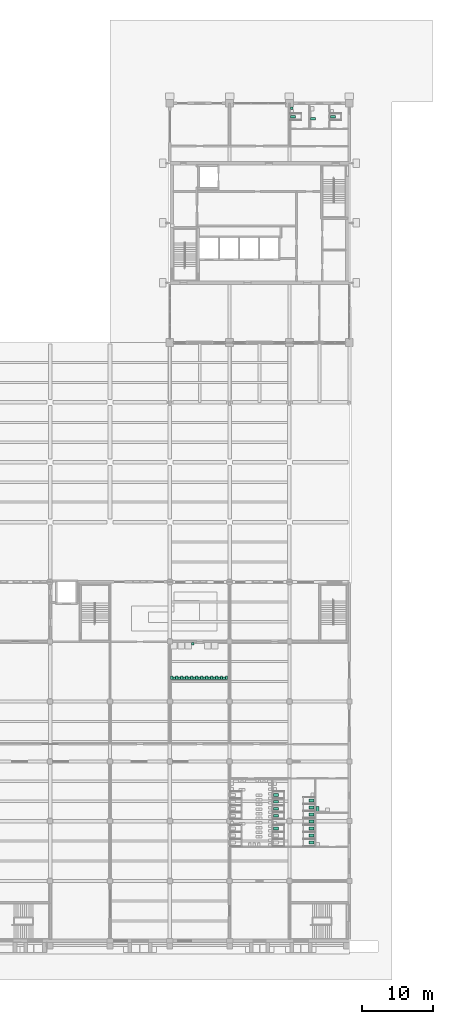
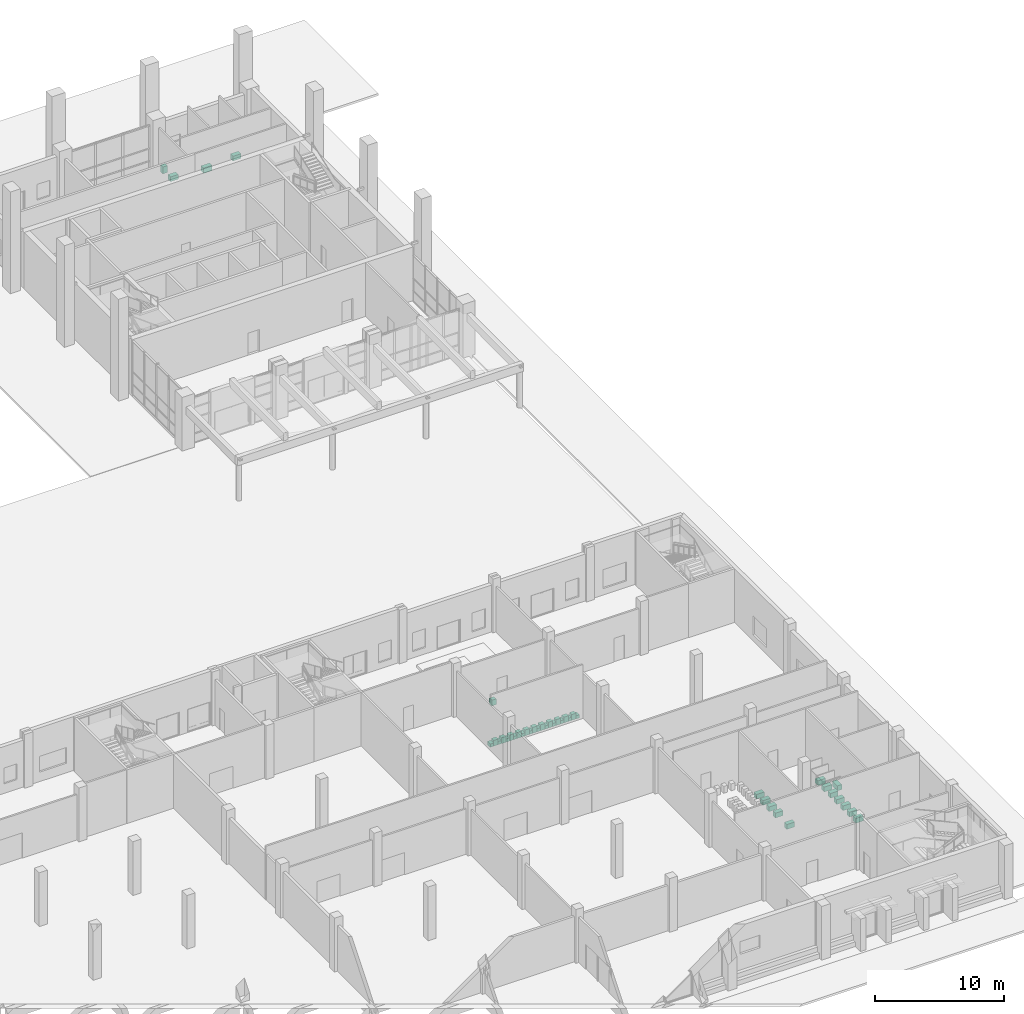
# One storey, part 73 of 74: 41 sanitary terminals.
"""IFC4 building model written with IfcOpenShell, lengths in metres."""

from ifc_helpers import new_model, si_unit, direction, frame, origin, origin_2d, place, context, subcontext, project, spatial, rectangle, extrude, material, type_object, element, save


model = new_model("IFC4")

# Units and contexts
model_context = context("Model", 3, precision=1e-05, world=origin(), true_north=direction((0.0, 1.0)))
body_context = subcontext(model_context, "Body", "Model", "MODEL_VIEW")
ifc_project = project(units=[si_unit("LENGTHUNIT", "METRE"), si_unit("AREAUNIT", "SQUARE_METRE"), si_unit("VOLUMEUNIT", "CUBIC_METRE"), si_unit("PLANEANGLEUNIT", "RADIAN"), si_unit("MASSUNIT", "GRAM", prefix="KILO")], contexts=[model_context])

# Site, building, storey
site_placement = place(None, origin())
site = spatial("IfcSite", under=ifc_project, at=site_placement, CompositionType="ELEMENT")
building_placement = place(site_placement, origin())
building = spatial("IfcBuilding", under=site, at=building_placement, Name="Rulbaag Community and Learning Centre", CompositionType="ELEMENT")
storey_placement = place(building_placement, origin())
storey = spatial("IfcBuildingStorey", under=building, at=storey_placement, Name="L00", CompositionType="ELEMENT", Elevation=0.0)

# Sanitary terminals
ifc_material = material(Name="Vitreous china", Category="ceramic")
sanitary_terminal_type_1 = type_object("IfcSanitaryTerminalType", Name="BS-CH-400", PredefinedType="WASHHANDBASIN", material=ifc_material)
for number, where, z_axis, x_axis, name in (
    (1, (143.429931640625, 36.905029296875, 0.0), (0.0, 0.0, 1.0), (1.0, 0.0, 0.0), "Basin 01"),
    (2, (144.1298828125, 36.905029296875, 0.0), (0.0, 0.0, 1.0), (1.0, 0.0, 0.0), "Basin 02"),
    (3, (144.830078125, 36.905029296875, 0.0), (0.0, 0.0, 1.0), (1.0, 0.0, 0.0), "Basin 03"),
    (4, (145.530029296875, 36.905029296875, 0.0), (0.0, 0.0, 1.0), (1.0, 0.0, 0.0), "Basin 04"),
    (5, (146.22998046875, 36.905029296875, 0.0), (0.0, 0.0, 1.0), (1.0, 0.0, 0.0), "Basin 05"),
    (6, (146.929931640625, 36.905029296875, 0.0), (0.0, 0.0, 1.0), (1.0, 0.0, 0.0), "Basin 06"),
    (7, (147.6298828125, 36.905029296875, 0.0), (0.0, 0.0, 1.0), (1.0, 0.0, 0.0), "Basin 07"),
    (8, (148.330078125, 36.905029296875, 0.0), (0.0, 0.0, 1.0), (1.0, 0.0, 0.0), "Basin 08"),
    (9, (149.030029296875, 36.905029296875, 0.0), (0.0, 0.0, 1.0), (1.0, 0.0, 0.0), "Basin 09"),
    (10, (149.72998046875, 36.905029296875, 0.0), (0.0, 0.0, 1.0), (1.0, 0.0, 0.0), "Basin 10"),
    (11, (150.429931640625, 36.905029296875, 0.0), (0.0, 0.0, 1.0), (1.0, 0.0, 0.0), "Basin 11"),
    (12, (146.030029296875, 41.695068359375, 0.0), (0.0, 0.0, 1.0), (1.0, 0.0, 0.0), "Basin 12"),
):
    element("IfcSanitaryTerminal", number, at=place(storey_placement, frame(where, z_axis=z_axis, x_axis=x_axis)), inside=storey, type_object=sanitary_terminal_type_1, Name=name, PredefinedType="WASHHANDBASIN", context=body_context, shape_type="SweptSolid", body=[
        extrude(rectangle(XDim=0.39990234375, YDim=0.35009765625, at=origin_2d()), origin(), (0.0, 0.0, 1.0), 0.550048828125),
    ])
sanitary_terminal_type_2 = type_object("IfcSanitaryTerminalType", Name="UR-350", PredefinedType="URINAL", material=ifc_material)
sanitary_terminal_1_placement = place(storey_placement, frame((159.929931640625, 116.905029296875, 0.0), z_axis=(0.0, 0.0, 1.0), x_axis=(1.0, 0.0, 0.0)))
element("IfcSanitaryTerminal", 13, at=sanitary_terminal_1_placement, inside=storey, type_object=sanitary_terminal_type_2, Name="Urinal 150", PredefinedType="URINAL", context=body_context, shape_type="SweptSolid", body=[
    extrude(rectangle(XDim=0.39990234375, YDim=0.35009765625, at=origin_2d()), origin(), (0.0, 0.0, 1.0), 0.64990234375),
])
sanitary_terminal_type_3 = type_object("IfcSanitaryTerminalType", Name="WC-400", PredefinedType="TOILETPAN", material=ifc_material)
for number, where, z_axis, x_axis, name in (
    (14, (157.679931640625, 15.780029296875, 0.0), (0.0, 0.0, 1.0), (1.0, 0.0, 0.0), "WC 20"),
    (15, (157.679931640625, 17.56005859375, 0.0), (0.0, 0.0, 1.0), (1.0, 0.0, 0.0), "WC 21"),
    (16, (157.679931640625, 18.5400390625, 0.0), (0.0, 0.0, 1.0), (1.0, 0.0, 0.0), "WC 22"),
    (17, (157.679931640625, 19.52001953125, 0.0), (0.0, 0.0, 1.0), (1.0, 0.0, 0.0), "WC 23"),
    (18, (157.679931640625, 20.5, 0.0), (0.0, 0.0, 1.0), (1.0, 0.0, 0.0), "WC 24"),
    (19, (162.719970703125, 13.820068359375, 0.0), (0.0, 0.0, 1.0), (1.0, 0.0, 0.0), "WC 25"),
    (20, (162.719970703125, 14.800048828125, 0.0), (0.0, 0.0, 1.0), (1.0, 0.0, 0.0), "WC 26"),
    (21, (162.719970703125, 15.780029296875, 0.0), (0.0, 0.0, 1.0), (1.0, 0.0, 0.0), "WC 27"),
    (22, (162.719970703125, 16.760009765625, 0.0), (0.0, 0.0, 1.0), (1.0, 0.0, 0.0), "WC 28"),
    (23, (162.719970703125, 17.739990234375, 0.0), (0.0, 0.0, 1.0), (1.0, 0.0, 0.0), "WC 29"),
    (24, (162.719970703125, 18.719970703125, 0.0), (0.0, 0.0, 1.0), (1.0, 0.0, 0.0), "WC 30"),
    (25, (162.719970703125, 19.699951171875, 0.0), (0.0, 0.0, 1.0), (1.0, 0.0, 0.0), "WC 31"),
    (26, (160.080078125, 115.719970703125, 0.0), (0.0, 0.0, 1.0), (1.0, 0.0, 0.0), "WC 119"),
    (27, (165.679931640625, 115.719970703125, 0.0), (0.0, 0.0, 1.0), (1.0, 0.0, 0.0), "WC 120"),
):
    element("IfcSanitaryTerminal", number, at=place(storey_placement, frame(where, z_axis=z_axis, x_axis=x_axis)), inside=storey, type_object=sanitary_terminal_type_3, Name=name, PredefinedType="TOILETPAN", context=body_context, shape_type="SweptSolid", body=[
        extrude(rectangle(XDim=0.699951171875, YDim=0.39990234375, at=origin_2d()), origin(), (0.0, 0.0, 1.0), 0.449951171875),
    ])
sanitary_terminal_type_4 = type_object("IfcSanitaryTerminalType", Name="WC-AC-480", PredefinedType="TOILETPAN", material=ifc_material)
sanitary_terminal_2_placement = place(storey_placement, frame((163.530029296875, 18.5048828125, 0.0), z_axis=(0.0, 0.0, 1.0), x_axis=(1.0, 0.0, 0.0)))
element("IfcSanitaryTerminal", 28, at=sanitary_terminal_2_placement, inside=storey, type_object=sanitary_terminal_type_4, Name="WC 46", PredefinedType="TOILETPAN", context=body_context, shape_type="SweptSolid", body=[
    extrude(rectangle(XDim=0.39990234375, YDim=0.75, at=origin_2d()), origin(), (0.0, 0.0, 1.0), 0.47998046875),
])
sanitary_terminal_3_placement = place(storey_placement, frame((162.905029296875, 115.429931640625, 0.0), z_axis=(0.0, 0.0, 1.0), x_axis=(1.0, 0.0, 0.0)))
element("IfcSanitaryTerminal", 29, at=sanitary_terminal_3_placement, inside=storey, type_object=sanitary_terminal_type_4, Name="WC 121", PredefinedType="TOILETPAN", context=body_context, shape_type="SweptSolid", body=[
    extrude(rectangle(XDim=0.75, YDim=0.39990234375, at=origin_2d()), origin(), (0.0, 0.0, 1.0), 0.47998046875),
])
sanitary_terminal_type_5 = type_object("IfcSanitaryTerminalType", Name="WC-CH-300", PredefinedType="TOILETPAN", material=ifc_material)
for number, where, z_axis, x_axis, name in (
    (30, (143.080078125, 36.955078125, 0.0), (0.0, 0.0, 1.0), (1.0, 0.0, 0.0), "WC 01"),
    (31, (143.780029296875, 36.955078125, 0.0), (0.0, 0.0, 1.0), (1.0, 0.0, 0.0), "WC 02"),
    (32, (144.47998046875, 36.955078125, 0.0), (0.0, 0.0, 1.0), (1.0, 0.0, 0.0), "WC 03"),
    (33, (145.179931640625, 36.955078125, 0.0), (0.0, 0.0, 1.0), (1.0, 0.0, 0.0), "WC 04"),
    (34, (145.8798828125, 36.955078125, 0.0), (0.0, 0.0, 1.0), (1.0, 0.0, 0.0), "WC 05"),
    (35, (146.580078125, 36.955078125, 0.0), (0.0, 0.0, 1.0), (1.0, 0.0, 0.0), "WC 06"),
    (36, (147.280029296875, 36.955078125, 0.0), (0.0, 0.0, 1.0), (1.0, 0.0, 0.0), "WC 07"),
    (37, (147.97998046875, 36.955078125, 0.0), (0.0, 0.0, 1.0), (1.0, 0.0, 0.0), "WC 08"),
    (38, (148.679931640625, 36.955078125, 0.0), (0.0, 0.0, 1.0), (1.0, 0.0, 0.0), "WC 09"),
    (39, (149.3798828125, 36.955078125, 0.0), (0.0, 0.0, 1.0), (1.0, 0.0, 0.0), "WC 10"),
    (40, (150.080078125, 36.955078125, 0.0), (0.0, 0.0, 1.0), (1.0, 0.0, 0.0), "WC 11"),
    (41, (150.780029296875, 36.955078125, 0.0), (0.0, 0.0, 1.0), (1.0, 0.0, 0.0), "WC 12"),
):
    element("IfcSanitaryTerminal", number, at=place(storey_placement, frame(where, z_axis=z_axis, x_axis=x_axis)), inside=storey, type_object=sanitary_terminal_type_5, Name=name, PredefinedType="TOILETPAN", context=body_context, shape_type="SweptSolid", body=[
        extrude(rectangle(XDim=0.300048828125, YDim=0.449951171875, at=origin_2d()), origin(), (0.0, 0.0, 1.0), 0.300048828125),
    ])

save(model, "model.ifc")
